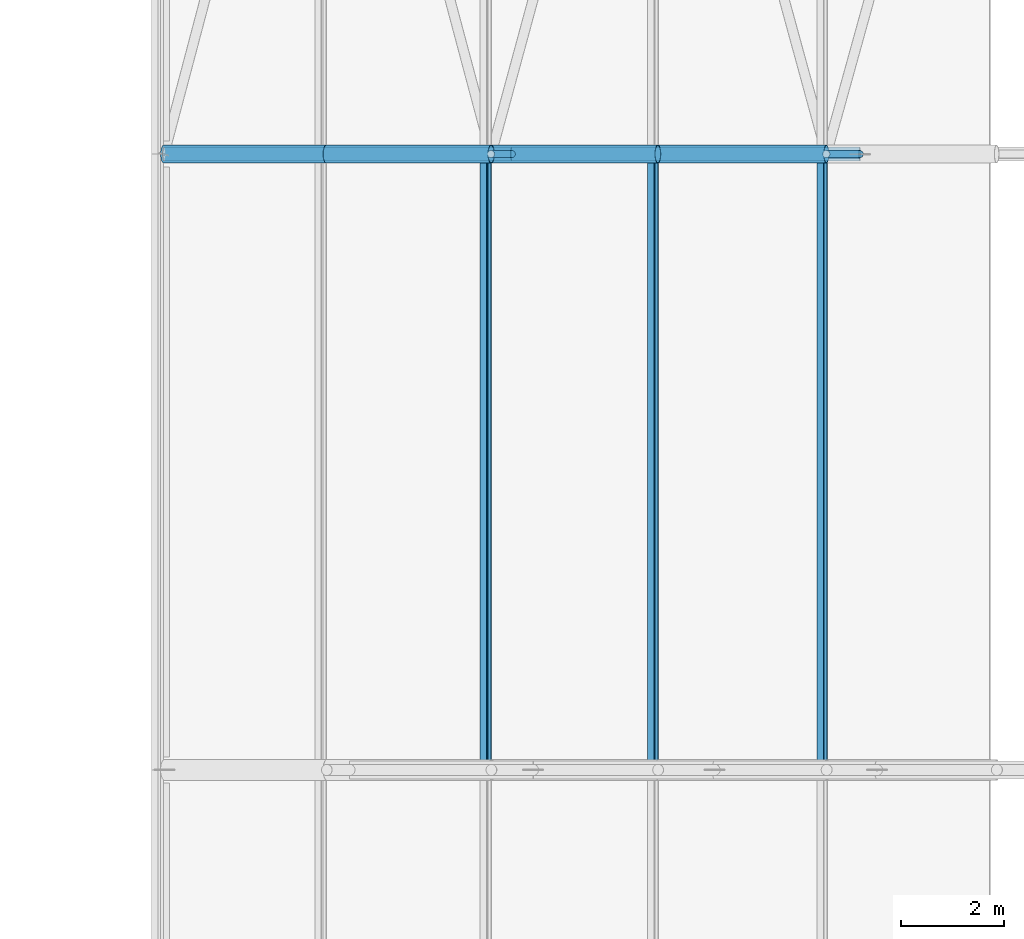
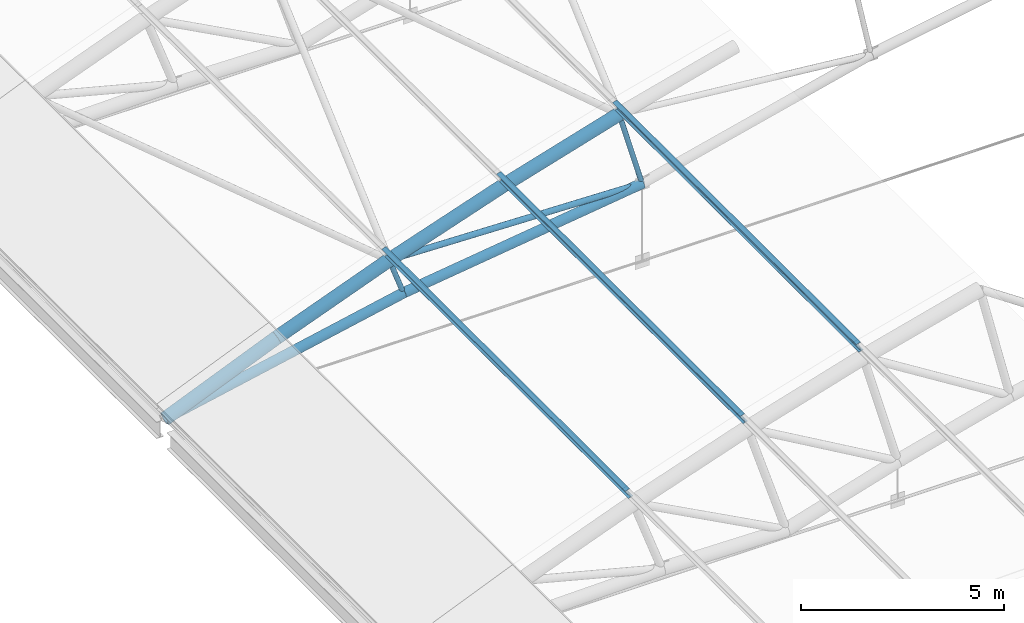
# One storey, part 28 of 321: 12 members.
"""IFC4 building model written with IfcOpenShell, lengths in metres."""

from ifc_helpers import new_model, si_unit, direction, frame, origin, origin_2d, place, context, subcontext, project, spatial, hollow_circle, i_section, extrude, material, material_profile, profile_set, type_object, element, save


model = new_model("IFC4")

# Units and contexts
model_context = context("Model", 3, precision=1e-05, world=origin(), true_north=direction((0.0, 1.0)))
body_context = subcontext(model_context, "Body", "Model", "MODEL_VIEW")
ifc_project = project(units=[si_unit("LENGTHUNIT", "METRE"), si_unit("AREAUNIT", "SQUARE_METRE"), si_unit("VOLUMEUNIT", "CUBIC_METRE"), si_unit("PLANEANGLEUNIT", "RADIAN"), si_unit("MASSUNIT", "GRAM", prefix="KILO")], contexts=[model_context])

# Site, building, storey
site_placement = place(None, origin())
site = spatial("IfcSite", under=ifc_project, at=site_placement, CompositionType="ELEMENT")
building_placement = place(site_placement, origin())
building = spatial("IfcBuilding", under=site, at=building_placement, Name="Ravi Spectrum Wholesale Market", CompositionType="ELEMENT")
storey_placement = place(building_placement, frame((0.0, 0.0, 10.800048828125)))
storey = spatial("IfcBuildingStorey", under=building, at=storey_placement, Name="L02", CompositionType="ELEMENT", Elevation=10.800048828125)

# Members
ifc_material_1 = material(Name="Steel S355", Category="steel")
ifc_material_profile_1 = material_profile(ifc_material_1, hollow_circle(Radius=0.06982421875, WallThickness=0.0048828125, at=origin_2d()))
ifc_profile_set_1 = profile_set([ifc_material_profile_1], Name="Steel S355")
member_type_1 = type_object("IfcMemberType", Name="CHS 139.7x5 post", PredefinedType="POST", material=ifc_profile_set_1)
member_1_placement = place(storey_placement, frame((36.363037109375, 66.0, 2.56494140625), z_axis=(0.338114270461, 0.0, -0.941105063269), x_axis=(0.0, 1.0, 0.0)))
element("IfcMember", 1, at=member_1_placement, inside=storey, type_object=member_type_1, Name="H1-MB-L02-298", PredefinedType="POST", context=body_context, shape_type="SweptSolid", body=[
    extrude(hollow_circle(Radius=0.06982421875, WallThickness=0.0048828125, at=origin_2d()), origin(), (0.0, 0.0, 1.0), 1.199951171875),
])
member_2_placement = place(storey_placement, frame((42.896240234375, 66.0, 4.661376953125), z_axis=(0.272503703517, 0.0, -0.962154733694), x_axis=(0.0, 1.0, 0.0)))
element("IfcMember", 2, at=member_2_placement, inside=storey, type_object=member_type_1, Name="H1-MB-L02-299", PredefinedType="POST", context=body_context, shape_type="SweptSolid", body=[
    extrude(hollow_circle(Radius=0.06982421875, WallThickness=0.0048828125, at=origin_2d()), origin(), (0.0, 0.0, 1.0), 2.400146484375),
])
ifc_material_2 = material(Name="Steel S355", Category="steel")
ifc_material_profile_2 = material_profile(ifc_material_2, hollow_circle(Radius=0.084228515625, WallThickness=0.00634765625, at=origin_2d()))
ifc_profile_set_2 = profile_set([ifc_material_profile_2], Name="Steel S355")
member_type_2 = type_object("IfcMemberType", Name="CHS 168.3x6.3 brace", PredefinedType="BRACE", material=ifc_profile_set_2)
member_3_placement = place(storey_placement, frame((36.363037109375, 66.0, 2.56494140625), z_axis=(0.999561599338, 0.0, -0.029607585673), x_axis=(0.0, 1.0, 0.0)))
element("IfcMember", 3, at=member_3_placement, inside=storey, type_object=member_type_2, Name="H1-MB-L02-309", PredefinedType="BRACE", context=body_context, shape_type="SweptSolid", body=[
    extrude(hollow_circle(Radius=0.084228515625, WallThickness=0.00634765625, at=origin_2d()), origin(), (0.0, 0.0, 1.0), 7.1904296875),
])
ifc_material_3 = material(Name="Steel S355", Category="steel")
ifc_material_profile_3 = material_profile(ifc_material_3, hollow_circle(Radius=0.136474609375, WallThickness=0.010009765625, at=origin_2d()))
ifc_profile_set_3 = profile_set([ifc_material_profile_3], Name="Steel S355")
member_type_3 = type_object("IfcMemberType", Name="CHS 273x10 chord", PredefinedType="CHORD", material=ifc_profile_set_3)
member_4_placement = place(storey_placement, frame((29.98974609375, 66.0, 0.023193359375), z_axis=(0.978978953118, 0.0, 0.203961293758), x_axis=(0.0, 1.0, 0.0)))
element("IfcMember", 4, at=member_4_placement, inside=storey, type_object=member_type_3, Name="H1-MB-L02-286", PredefinedType="CHORD", context=body_context, shape_type="SweptSolid", body=[
    extrude(hollow_circle(Radius=0.136474609375, WallThickness=0.010009765625, at=origin_2d()), origin(), (0.0, 0.0, 1.0), 6.924560546875),
])
member_5_placement = place(storey_placement, frame((36.768798828125, 66.0, 1.435546875), z_axis=(0.990990766788, 0.0, 0.133930206233), x_axis=(0.0, 1.0, 0.0)))
element("IfcMember", 5, at=member_5_placement, inside=storey, type_object=member_type_3, Name="H1-MB-L02-287", PredefinedType="CHORD", context=body_context, shape_type="SweptSolid", body=[
    extrude(hollow_circle(Radius=0.136474609375, WallThickness=0.010009765625, at=origin_2d()), origin(), (0.0, 0.0, 1.0), 6.84326171875),
])
ifc_material_4 = material(Name="Steel S355", Category="steel")
ifc_material_profile_4 = material_profile(ifc_material_4, hollow_circle(Radius=0.177734375, WallThickness=0.012451171875, at=origin_2d()))
ifc_profile_set_4 = profile_set([ifc_material_profile_4], Name="Steel S355")
member_type_4 = type_object("IfcMemberType", Name="CHS 355.6x12.5 chord", PredefinedType="CHORD", material=ifc_profile_set_4)
member_6_placement = place(storey_placement, frame((29.98974609375, 66.0, 0.023193359375), z_axis=(0.922323660423, 0.0, 0.386418251929), x_axis=(0.0, 1.0, 0.0)))
element("IfcMember", 6, at=member_6_placement, inside=storey, type_object=member_type_4, Name="H1-MB-L02-262", PredefinedType="CHORD", context=body_context, shape_type="SweptSolid", body=[
    extrude(hollow_circle(Radius=0.177734375, WallThickness=0.012451171875, at=origin_2d()), origin(), (0.0, 0.0, 1.0), 3.431396484375),
])
for number, where, z_axis, x_axis, name in (
    (7, (33.154541015625, 66.0, 1.34912109375), (0.935113010382, 0.0, 0.354349626518), (0.0, 1.0, 0.0), "H1-MB-L02-263"),
    (8, (36.363037109375, 66.0, 2.56494140625), (0.946773612235, 0.0, 0.321900182005), (0.0, 1.0, 0.0), "H1-MB-L02-264"),
    (9, (39.611572265625, 66.0, 3.66943359375), (0.957299848506, 0.0, 0.289096869666), (0.0, 1.0, 0.0), "H1-MB-L02-265"),
):
    element("IfcMember", number, at=place(storey_placement, frame(where, z_axis=z_axis, x_axis=x_axis)), inside=storey, type_object=member_type_4, Name=name, PredefinedType="CHORD", context=body_context, shape_type="SweptSolid", body=[
        extrude(hollow_circle(Radius=0.177734375, WallThickness=0.012451171875, at=origin_2d()), origin(), (0.0, 0.0, 1.0), 3.43115234375),
    ])
ifc_material_5 = material(Name="Steel S355", Category="steel")
ifc_material_profile_5 = material_profile(ifc_material_5, i_section(OverallWidth=0.135009765625, OverallDepth=0.27001953125, WebThickness=0.006591796875, FlangeThickness=0.01025390625, at=origin_2d()))
ifc_profile_set_5 = profile_set([ifc_material_profile_5], Name="Steel S355")
member_type_5 = type_object("IfcMemberType", Name="IPE 270 purlin", PredefinedType="PURLIN", material=ifc_profile_set_5)
for number, where, z_axis, x_axis, name in (
    (10, (36.25732421875, 54.0, 2.859375), (0.0, 1.0, 0.0), (-0.941079849597, 0.0, -0.338184441811), "H1-MB-L02-1286"),
    (11, (39.515869140625, 54.0, 3.96728515625), (0.0, 1.0, 0.0), (-0.952184497174, 0.0, -0.305523621577), "H1-MB-L02-1287"),
    (12, (42.81103515625, 54.0, 4.962158203125), (0.0, 1.0, 0.0), (-0.96215600485, 0.0, -0.272499215286), "H1-MB-L02-1288"),
):
    element("IfcMember", number, at=place(storey_placement, frame(where, z_axis=z_axis, x_axis=x_axis)), inside=storey, type_object=member_type_5, Name=name, PredefinedType="PURLIN", context=body_context, shape_type="SweptSolid", body=[
        extrude(i_section(OverallWidth=0.135009765625, OverallDepth=0.27001953125, WebThickness=0.006591796875, FlangeThickness=0.01025390625, at=origin_2d()), origin(), (0.0, 0.0, 1.0), 12.0),
    ])

save(model, "model.ifc")
